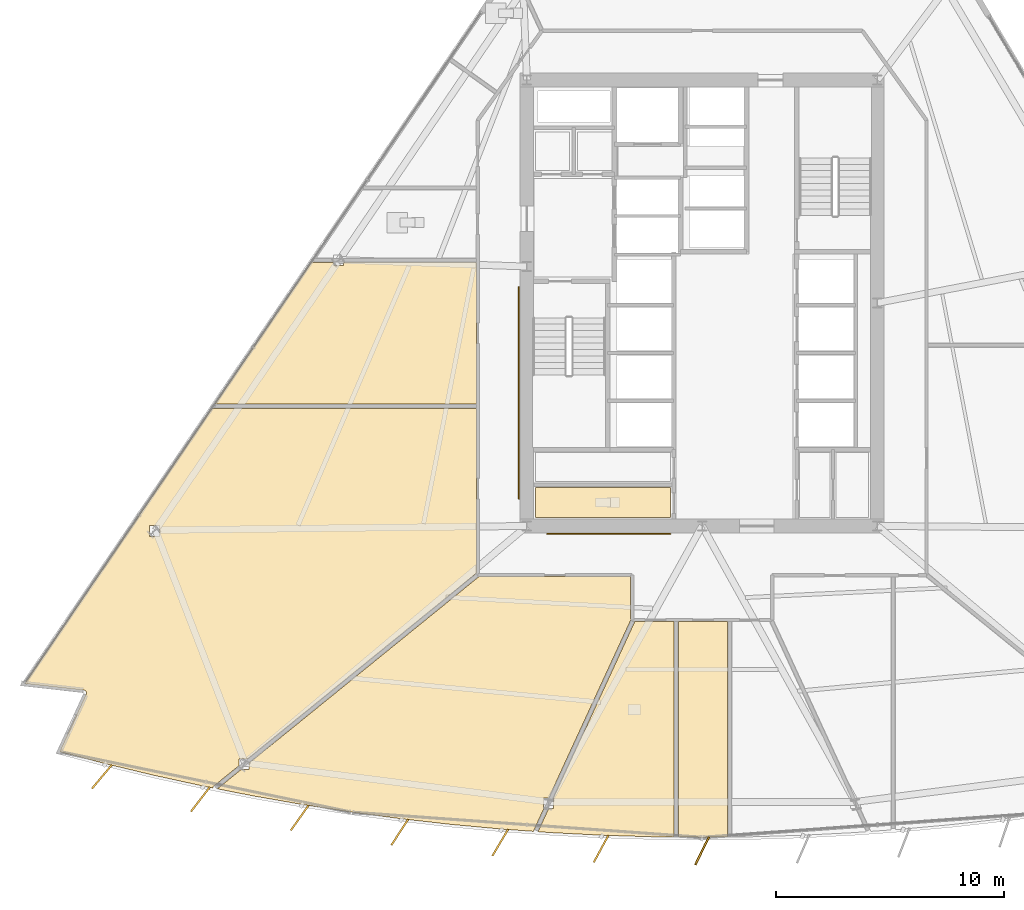
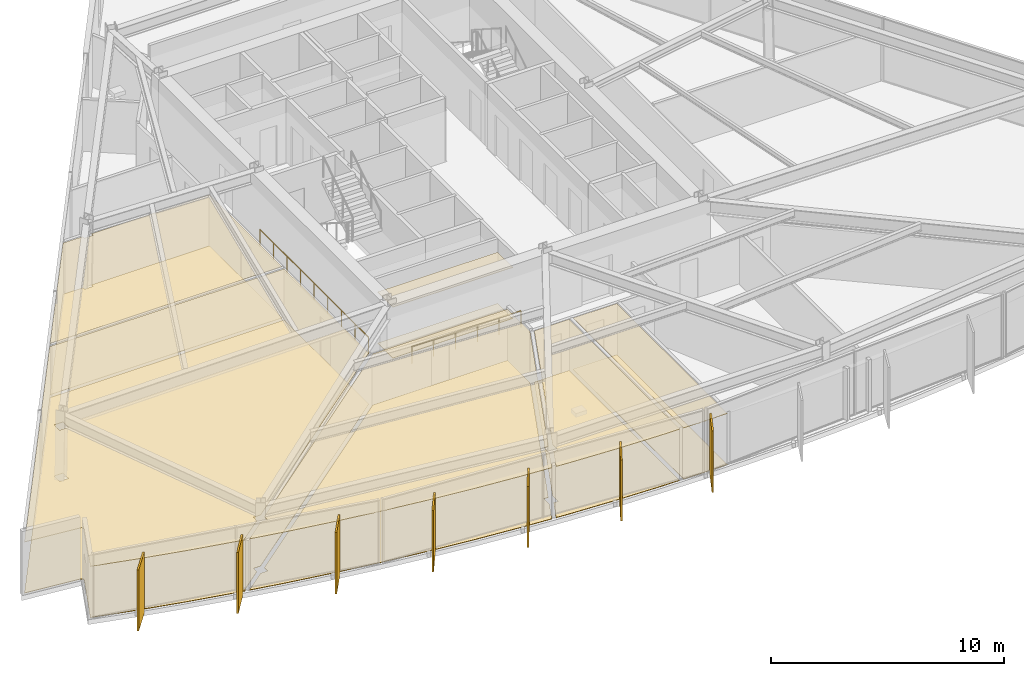
# One storey, part 13 of 18: 12 coverings, 7 shading devices, 2 railings.
"""IFC4 building model written with IfcOpenShell, lengths in metres."""

from ifc_helpers import new_model, si_unit, direction, frame, origin, origin_2d, place, context, subcontext, project, spatial, polyline, rectangle, circle, outline, extrude, material, layer, layer_set, type_object, element, save


model = new_model("IFC4")

# Units and contexts
model_context = context("Model", 3, precision=1e-05, world=origin(), true_north=direction((0.0, 1.0)))
body_context = subcontext(model_context, "Body", "Model", "MODEL_VIEW")
ifc_project = project(units=[si_unit("LENGTHUNIT", "METRE"), si_unit("AREAUNIT", "SQUARE_METRE"), si_unit("VOLUMEUNIT", "CUBIC_METRE"), si_unit("PLANEANGLEUNIT", "RADIAN"), si_unit("MASSUNIT", "GRAM", prefix="KILO")], contexts=[model_context])

# Site, building, storey
site_placement = place(None, origin())
site = spatial("IfcSite", under=ifc_project, at=site_placement, CompositionType="ELEMENT")
building_placement = place(site_placement, origin())
building = spatial("IfcBuilding", under=site, at=building_placement, Name="Savorim Split Tower", CompositionType="ELEMENT")
storey_placement = place(building_placement, frame((0.0, 0.0, 37.199951171875)))
storey = spatial("IfcBuildingStorey", under=building, at=storey_placement, Name="L09", CompositionType="ELEMENT", Elevation=37.199951171875)

# Coverings
ifc_material_1 = material(Name="Mineral Fibre Acoustic Ceiling")
ifc_layer_1 = layer(ifc_material_1, 0.02490234375)
ifc_layer_set_1 = layer_set([ifc_layer_1], Name="COV-CEIL-25")
covering_type_1 = type_object("IfcCoveringType", Name="COV-CEIL-25", PredefinedType="CEILING", material=ifc_layer_set_1)
covering_1_placement = place(storey_placement, frame((0.0, 0.0, 2.670166015625)))
element("IfcCovering", 1, at=covering_1_placement, inside=storey, type_object=covering_type_1, Name="L09 Public WC Acoustic Ceiling", PredefinedType="CEILING", context=body_context, shape_type="SweptSolid", body=[
    extrude(outline(polyline([(-7.320068359375, -7.719970703125), (-7.320068359375, -9.02001953125), (-1.3798828125, -9.02001953125), (-1.3798828125, -7.719970703125), (-7.320068359375, -7.719970703125)])), origin(), (0.0, 0.0, 1.0), 0.02490234375),
])
covering_2_placement = place(storey_placement, frame((0.0, 0.0, 2.670166015625)))
element("IfcCovering", 2, at=covering_2_placement, inside=storey, type_object=covering_type_1, Name="L09 Co-Working Commons Acoustic Ceiling", PredefinedType="CEILING", context=body_context, shape_type="SweptSolid", body=[
    extrude(outline(polyline([(-17.05029296875, 2.178466796875), (-17.145263671875, 2.178466796875), (-17.145263671875, 2.222900390625), (-21.40576171875, -4.0400390625), (-9.919921875, -4.0400390625), (-9.919921875, 2.178466796875), (-15.756591796875, 2.178466796875), (-15.756591796875, 2.04052734375), (-16.192626953125, 2.04052734375), (-16.192626953125, 2.178466796875), (-17.05029296875, 2.178466796875)])), origin(), (0.0, 0.0, 1.0), 0.02490234375),
])
covering_3_placement = place(storey_placement, frame((0.0, 0.0, 2.670166015625)))
element("IfcCovering", 3, at=covering_3_placement, inside=storey, type_object=covering_type_1, Name="L09 Co-Working Commons Acoustic Ceiling", PredefinedType="CEILING", context=body_context, shape_type="SweptSolid", body=[
    extrude(outline(polyline([(-27.05615234375, -16.739990234375), (-27.056884765625, -16.751708984375), (-27.05908203125, -16.763671875), (-27.0625, -16.77490234375), (-27.06689453125, -16.7861328125), (-28.231201171875, -19.320068359375), (-26.232177734375, -19.843017578125), (-24.0849609375, -20.357666015625), (-21.927490234375, -20.82861328125), (-21.473388671875, -20.91796875), (-21.510498046875, -20.872314453125), (-20.343017578125, -19.92529296875), (-20.343017578125, -19.6376953125), (-19.98828125, -19.6376953125), (-9.947998046875, -11.494873046875), (-9.919921875, -11.472412109375), (-9.919921875, -4.22998046875), (-21.534912109375, -4.22998046875), (-29.763916015625, -16.326416015625), (-27.16259765625, -16.61669921875), (-27.15087890625, -16.61865234375), (-27.139404296875, -16.62158203125), (-27.128173828125, -16.6259765625), (-27.117431640625, -16.631103515625), (-27.107421875, -16.637451171875), (-27.097900390625, -16.644775390625), (-27.08935546875, -16.653076171875), (-27.08154296875, -16.662109375), (-27.07470703125, -16.671875), (-27.068603515625, -16.68212890625), (-27.06396484375, -16.693115234375), (-27.060302734375, -16.70458984375), (-27.0576171875, -16.716064453125), (-27.056396484375, -16.72802734375), (-27.05615234375, -16.739990234375)]), holes=[polyline([(-24.285400390625, -9.855712890625), (-23.849365234375, -9.855712890625), (-23.849365234375, -9.3896484375), (-24.285400390625, -9.3896484375), (-24.285400390625, -9.855712890625)])]), origin(), (0.0, 0.0, 1.0), 0.02490234375),
])
covering_4_placement = place(storey_placement, frame((0.0, 0.0, 2.670166015625)))
element("IfcCovering", 4, at=covering_4_placement, inside=storey, type_object=covering_type_1, Name="L09 Co-Working Commons Acoustic Ceiling", PredefinedType="CEILING", context=body_context, shape_type="SweptSolid", body=[
    extrude(outline(polyline([(-15.404296875, -21.974853515625), (-13.215576171875, -22.267578125), (-11.021484375, -22.515625), (-8.82275390625, -22.71875), (-7.416748046875, -22.819580078125), (-6.956787109375, -21.821533203125), (-6.962890625, -21.821533203125), (-6.962890625, -21.355712890625), (-6.7421875, -21.355712890625), (-3.1396484375, -13.539306640625), (-3.126220703125, -13.51025390625), (-3.12939453125, -13.503662109375), (-3.134033203125, -13.490478515625), (-3.13720703125, -13.477294921875), (-3.139404296875, -13.463623046875), (-3.139892578125, -13.449951171875), (-3.139892578125, -11.6201171875), (-9.780029296875, -11.6201171875), (-9.793701171875, -11.619384765625), (-9.798828125, -11.61865234375), (-19.906982421875, -19.816162109375), (-19.906982421875, -20.103759765625), (-20.26123046875, -20.103759765625), (-21.30615234375, -20.950927734375), (-19.760986328125, -21.255126953125), (-17.586181640625, -21.63720703125), (-15.404296875, -21.974853515625)])), origin(), (0.0, 0.0, 1.0), 0.02490234375),
])
covering_5_placement = place(storey_placement, frame((0.0, 0.0, 2.670166015625)))
element("IfcCovering", 5, at=covering_5_placement, inside=storey, type_object=covering_type_1, Name="L09 Shared Kitchen Acoustic Ceiling", PredefinedType="CEILING", context=body_context, shape_type="SweptSolid", body=[
    extrude(outline(polyline([(-6.6201171875, -22.876708984375), (-4.4150390625, -22.989501953125), (-2.2080078125, -23.057373046875), (-1.232421875, -23.0673828125), (-1.232421875, -13.590087890625), (-2.953857421875, -13.590087890625), (-6.532958984375, -21.355712890625), (-6.52685546875, -21.355712890625), (-6.52685546875, -21.821533203125), (-6.747802734375, -21.821533203125), (-7.206787109375, -22.818115234375), (-7.21435546875, -22.833984375), (-6.6201171875, -22.876708984375)])), origin(), (0.0, 0.0, 1.0), 0.02490234375),
])
covering_6_placement = place(storey_placement, frame((0.0, 0.0, 2.670166015625)))
element("IfcCovering", 6, at=covering_6_placement, inside=storey, type_object=covering_type_1, Name="L09 Quiet Study Room Acoustic Ceiling", PredefinedType="CEILING", context=body_context, shape_type="SweptSolid", body=[
    extrude(outline(polyline([(-1.04248046875, -13.590087890625), (-1.04248046875, -23.0693359375), (0.0, -23.080078125), (1.12158203125, -23.068603515625), (1.12158203125, -13.590087890625), (-1.04248046875, -13.590087890625)])), origin(), (0.0, 0.0, 1.0), 0.02490234375),
])
ifc_material_2 = material(Name="Porcelain Stoneware Flooring", Category="masonry")
ifc_layer_2 = layer(ifc_material_2, 0.02001953125)
ifc_layer_set_2 = layer_set([ifc_layer_2], Name="COV-FLOR-20")
covering_type_2 = type_object("IfcCoveringType", Name="COV-FLOR-20", PredefinedType="FLOORING", material=ifc_layer_set_2)
covering_7_placement = place(storey_placement, origin())
element("IfcCovering", 7, at=covering_7_placement, inside=storey, type_object=covering_type_2, Name="L09 Public WC Porcelain Flooring", PredefinedType="FLOORING", context=body_context, shape_type="SweptSolid", body=[
    extrude(outline(polyline([(-7.320068359375, -7.719970703125), (-7.320068359375, -9.02001953125), (-1.3798828125, -9.02001953125), (-1.3798828125, -7.719970703125), (-7.320068359375, -7.719970703125)])), origin(), (0.0, 0.0, 1.0), 0.02001953125),
])
covering_8_placement = place(storey_placement, origin())
element("IfcCovering", 8, at=covering_8_placement, inside=storey, type_object=covering_type_2, Name="L09 Co-Working Commons Porcelain Flooring", PredefinedType="FLOORING", context=body_context, shape_type="SweptSolid", body=[
    extrude(outline(polyline([(-17.05029296875, 2.178466796875), (-17.145263671875, 2.178466796875), (-17.145263671875, 2.222900390625), (-21.40576171875, -4.0400390625), (-9.919921875, -4.0400390625), (-9.919921875, 2.178466796875), (-15.756591796875, 2.178466796875), (-15.756591796875, 2.04052734375), (-16.192626953125, 2.04052734375), (-16.192626953125, 2.178466796875), (-17.05029296875, 2.178466796875)])), origin(), (0.0, 0.0, 1.0), 0.02001953125),
])
covering_9_placement = place(storey_placement, origin())
element("IfcCovering", 9, at=covering_9_placement, inside=storey, type_object=covering_type_2, Name="L09 Co-Working Commons Porcelain Flooring", PredefinedType="FLOORING", context=body_context, shape_type="SweptSolid", body=[
    extrude(outline(polyline([(-27.05615234375, -16.739990234375), (-27.056884765625, -16.751708984375), (-27.05908203125, -16.763671875), (-27.0625, -16.77490234375), (-27.06689453125, -16.7861328125), (-28.231201171875, -19.320068359375), (-26.232177734375, -19.843017578125), (-24.0849609375, -20.357666015625), (-21.927490234375, -20.82861328125), (-21.473388671875, -20.91796875), (-21.510498046875, -20.872314453125), (-20.343017578125, -19.92529296875), (-20.343017578125, -19.6376953125), (-19.98828125, -19.6376953125), (-9.947998046875, -11.494873046875), (-9.919921875, -11.472412109375), (-9.919921875, -4.22998046875), (-21.534912109375, -4.22998046875), (-29.763916015625, -16.326416015625), (-27.16259765625, -16.61669921875), (-27.15087890625, -16.61865234375), (-27.139404296875, -16.62158203125), (-27.128173828125, -16.6259765625), (-27.117431640625, -16.631103515625), (-27.107421875, -16.637451171875), (-27.097900390625, -16.644775390625), (-27.08935546875, -16.653076171875), (-27.08154296875, -16.662109375), (-27.07470703125, -16.671875), (-27.068603515625, -16.68212890625), (-27.06396484375, -16.693115234375), (-27.060302734375, -16.70458984375), (-27.0576171875, -16.716064453125), (-27.056396484375, -16.72802734375), (-27.05615234375, -16.739990234375)]), holes=[polyline([(-24.285400390625, -9.855712890625), (-23.849365234375, -9.855712890625), (-23.849365234375, -9.3896484375), (-24.285400390625, -9.3896484375), (-24.285400390625, -9.855712890625)])]), origin(), (0.0, 0.0, 1.0), 0.02001953125),
])
covering_10_placement = place(storey_placement, origin())
element("IfcCovering", 10, at=covering_10_placement, inside=storey, type_object=covering_type_2, Name="L09 Co-Working Commons Porcelain Flooring", PredefinedType="FLOORING", context=body_context, shape_type="SweptSolid", body=[
    extrude(outline(polyline([(-15.404296875, -21.974853515625), (-13.215576171875, -22.267578125), (-11.021484375, -22.515625), (-8.82275390625, -22.71875), (-7.416748046875, -22.819580078125), (-6.956787109375, -21.821533203125), (-6.962890625, -21.821533203125), (-6.962890625, -21.355712890625), (-6.7421875, -21.355712890625), (-3.1396484375, -13.539306640625), (-3.126220703125, -13.51025390625), (-3.12939453125, -13.503662109375), (-3.134033203125, -13.490478515625), (-3.13720703125, -13.477294921875), (-3.139404296875, -13.463623046875), (-3.139892578125, -13.449951171875), (-3.139892578125, -11.6201171875), (-9.780029296875, -11.6201171875), (-9.793701171875, -11.619384765625), (-9.798828125, -11.61865234375), (-19.906982421875, -19.816162109375), (-19.906982421875, -20.103759765625), (-20.26123046875, -20.103759765625), (-21.30615234375, -20.950927734375), (-19.760986328125, -21.255126953125), (-17.586181640625, -21.63720703125), (-15.404296875, -21.974853515625)])), origin(), (0.0, 0.0, 1.0), 0.02001953125),
])
covering_11_placement = place(storey_placement, origin())
element("IfcCovering", 11, at=covering_11_placement, inside=storey, type_object=covering_type_2, Name="L09 Shared Kitchen Porcelain Flooring", PredefinedType="FLOORING", context=body_context, shape_type="SweptSolid", body=[
    extrude(outline(polyline([(-6.6201171875, -22.876708984375), (-4.4150390625, -22.989501953125), (-2.2080078125, -23.057373046875), (-1.232421875, -23.0673828125), (-1.232421875, -13.590087890625), (-2.953857421875, -13.590087890625), (-6.532958984375, -21.355712890625), (-6.52685546875, -21.355712890625), (-6.52685546875, -21.821533203125), (-6.747802734375, -21.821533203125), (-7.206787109375, -22.818115234375), (-7.21435546875, -22.833984375), (-6.6201171875, -22.876708984375)])), origin(), (0.0, 0.0, 1.0), 0.02001953125),
])
covering_12_placement = place(storey_placement, origin())
element("IfcCovering", 12, at=covering_12_placement, inside=storey, type_object=covering_type_2, Name="L09 Quiet Study Room Porcelain Flooring", PredefinedType="FLOORING", context=body_context, shape_type="SweptSolid", body=[
    extrude(outline(polyline([(-1.04248046875, -13.590087890625), (-1.04248046875, -23.0693359375), (0.0, -23.080078125), (1.12158203125, -23.068603515625), (1.12158203125, -13.590087890625), (-1.04248046875, -13.590087890625)])), origin(), (0.0, 0.0, 1.0), 0.02001953125),
])

# Railings
ifc_material_3 = material(Name="Galvanised Painted Steel Balustrade", Category="steel")
railing_type = type_object("IfcRailingType", Name="RLG-HR-900", PredefinedType="HANDRAIL", material=ifc_material_3)
railing_1_placement = place(storey_placement, frame((-6.800048828125, -9.75, 0.0)))
element("IfcRailing", 13, at=railing_1_placement, inside=storey, type_object=railing_type, Name="L09 Corridor South Accessible Handrail", PredefinedType="HANDRAIL", context=body_context, shape_type="SweptSolid", body=[
    extrude(circle(Radius=0.02392578125, at=origin_2d()), frame((0.0, 0.0, 0.8759765625), z_axis=(1.0, 0.0, 0.0), x_axis=(0.0, 1.0, 0.0)), (0.0, 0.0, 1.0), 5.400146484375),
    extrude(circle(Radius=0.02099609375, at=origin_2d()), origin(), (0.0, 0.0, 1.0), 0.851806640625),
    extrude(circle(Radius=0.02099609375, at=origin_2d()), frame((1.080078125, 0.0, 0.0)), (0.0, 0.0, 1.0), 0.851806640625),
    extrude(circle(Radius=0.02099609375, at=origin_2d()), frame((2.16015625, 0.0, 0.0)), (0.0, 0.0, 1.0), 0.851806640625),
    extrude(circle(Radius=0.02099609375, at=origin_2d()), frame((3.239990234375, 0.0, 0.0)), (0.0, 0.0, 1.0), 0.851806640625),
    extrude(circle(Radius=0.02099609375, at=origin_2d()), frame((4.320068359375, 0.0, 0.0)), (0.0, 0.0, 1.0), 0.851806640625),
    extrude(circle(Radius=0.02099609375, at=origin_2d()), frame((5.400146484375, 0.0, 0.0)), (0.0, 0.0, 1.0), 0.851806640625),
])
railing_2_placement = place(storey_placement, frame((-8.050048828125, -8.199951171875, 0.0)))
element("IfcRailing", 14, at=railing_2_placement, inside=storey, type_object=railing_type, Name="L09 Corridor West Accessible Handrail", PredefinedType="HANDRAIL", context=body_context, shape_type="SweptSolid", body=[
    extrude(circle(Radius=0.02392578125, at=origin_2d()), frame((0.0, 0.0, 0.8759765625), z_axis=(0.0, 1.0, 0.0), x_axis=(-1.0, 0.0, 0.0)), (0.0, 0.0, 1.0), 9.300048828125),
    extrude(circle(Radius=0.02099609375, at=origin_2d()), origin(), (0.0, 0.0, 1.0), 0.851806640625),
    extrude(circle(Radius=0.02099609375, at=origin_2d()), frame((0.0, 1.16259765625, 0.0)), (0.0, 0.0, 1.0), 0.851806640625),
    extrude(circle(Radius=0.02099609375, at=origin_2d()), frame((0.0, 2.324951171875, 0.0)), (0.0, 0.0, 1.0), 0.851806640625),
    extrude(circle(Radius=0.02099609375, at=origin_2d()), frame((0.0, 3.487548828125, 0.0)), (0.0, 0.0, 1.0), 0.851806640625),
    extrude(circle(Radius=0.02099609375, at=origin_2d()), frame((0.0, 4.64990234375, 0.0)), (0.0, 0.0, 1.0), 0.851806640625),
    extrude(circle(Radius=0.02099609375, at=origin_2d()), frame((0.0, 5.8125, 0.0)), (0.0, 0.0, 1.0), 0.851806640625),
    extrude(circle(Radius=0.02099609375, at=origin_2d()), frame((0.0, 6.97509765625, 0.0)), (0.0, 0.0, 1.0), 0.851806640625),
    extrude(circle(Radius=0.02099609375, at=origin_2d()), frame((0.0, 8.137451171875, 0.0)), (0.0, 0.0, 1.0), 0.851806640625),
    extrude(circle(Radius=0.02099609375, at=origin_2d()), frame((0.0, 9.300048828125, 0.0)), (0.0, 0.0, 1.0), 0.851806640625),
])

# Shading devices
ifc_material_4 = material(Name="Terracotta Ceramic-Coated Aluminium Fin", Category="masonry")
shading_device_type = type_object("IfcShadingDeviceType", Name="SHD-FIN-1360", PredefinedType="USERDEFINED", material=ifc_material_4)
for number, where, z_axis, x_axis, name in (
    (15, (-26.377197265625, -20.4208984375, -0.19970703125), (0.0, 0.0, 1.0), (-0.643719022682, -0.765261928909, 0.0), "L09 Sawtooth Shading Fin 01"),
    (16, (-22.048583984375, -21.412109375, -0.19970703125), (0.0, 0.0, 1.0), (-0.611868076908, -0.790959832394, 0.0), "L09 Sawtooth Shading Fin 02"),
    (17, (-17.68359375, -22.225341796875, -0.19970703125), (0.0, 0.0, 1.0), (-0.578993757737, -0.815331974414, 0.0), "L09 Sawtooth Shading Fin 03"),
    (18, (-13.28857421875, -22.859130859375, -0.19970703125), (0.0, 0.0, 1.0), (-0.545148321708, -0.838339613366, 0.0), "L09 Sawtooth Shading Fin 04"),
    (19, (-8.871337890625, -23.312744140625, -0.19970703125), (0.0, 0.0, 1.0), (-0.510391336723, -0.859942255851, 0.0), "L09 Sawtooth Shading Fin 05"),
    (20, (-4.439453125, -23.585205078125, -0.19970703125), (0.0, 0.0, 1.0), (-0.474778051978, -0.880105562623, 0.0), "L09 Sawtooth Shading Fin 06"),
    (21, (0.0, -23.676025390625, -0.19970703125), (0.0, 0.0, 1.0), (-0.438371146789, -0.898794046299, 0.0), "L09 Sawtooth Shading Fin 07"),
):
    element("IfcShadingDevice", number, at=place(storey_placement, frame(where, z_axis=z_axis, x_axis=x_axis)), inside=storey, type_object=shading_device_type, Name=name, ObjectType="FIN", PredefinedType="USERDEFINED", context=body_context, shape_type="SweptSolid", body=[
        extrude(rectangle(XDim=1.360107421875, YDim=0.080078125, at=origin_2d()), origin(), (0.0, 0.0, 1.0), 3.199951171875),
    ])

save(model, "model.ifc")
